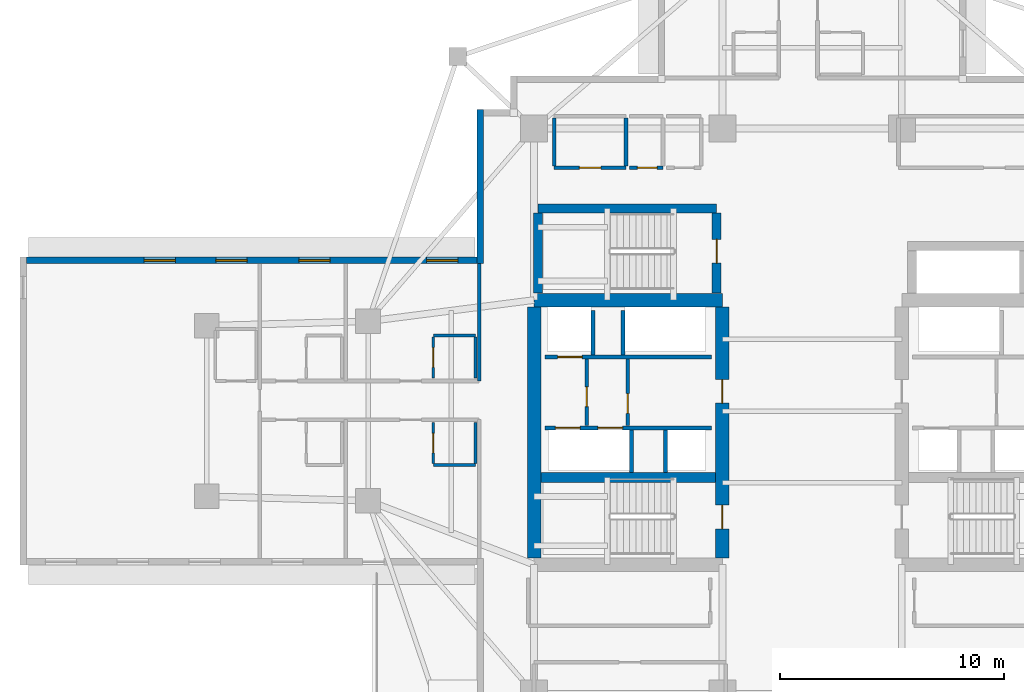
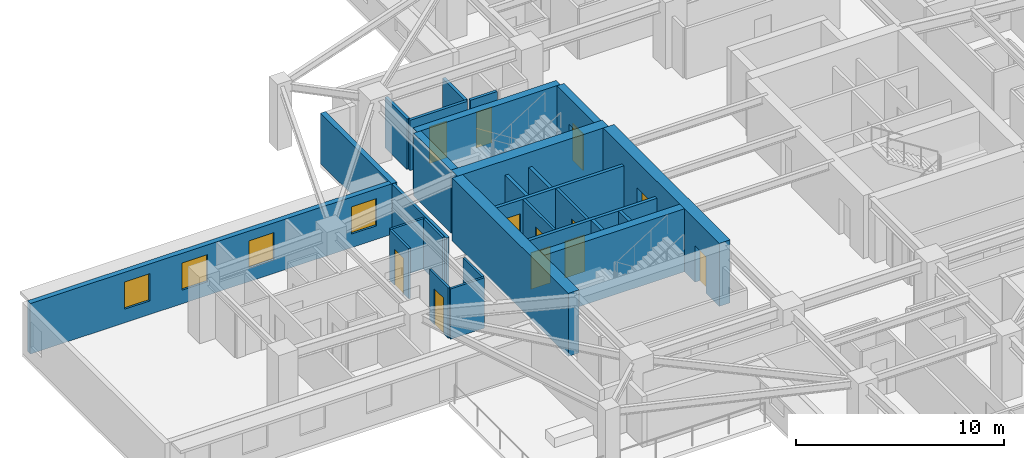
# One storey, part 5 of 13: 28 walls, 12 doors, 4 windows, 16 openings.
"""IFC4 building model written with IfcOpenShell, lengths in metres."""

from ifc_helpers import new_model, si_unit, direction, frame, frame_2d, origin, place, context, subcontext, project, spatial, rectangle, extrude, material, layer, layer_set, type_object, element, fill, save


model = new_model("IFC4")

# Units and contexts
model_context = context("Model", 3, precision=1e-05, world=origin(), true_north=direction((0.0, 1.0)))
body_context = subcontext(model_context, "Body", "Model", "MODEL_VIEW")
ifc_project = project(units=[si_unit("LENGTHUNIT", "METRE"), si_unit("AREAUNIT", "SQUARE_METRE"), si_unit("VOLUMEUNIT", "CUBIC_METRE"), si_unit("PLANEANGLEUNIT", "RADIAN"), si_unit("MASSUNIT", "GRAM", prefix="KILO")], contexts=[model_context])

# Site, building, storey
site_placement = place(None, origin())
site = spatial("IfcSite", under=ifc_project, at=site_placement, CompositionType="ELEMENT")
building_placement = place(site_placement, origin())
building = spatial("IfcBuilding", under=site, at=building_placement, Name="Qingluan Cross Belvedere", CompositionType="ELEMENT")
storey_placement = place(building_placement, frame((0.0, 0.0, 104.699951171875)))
storey = spatial("IfcBuildingStorey", under=building, at=storey_placement, Name="L26", CompositionType="ELEMENT", Elevation=104.699951171875)

# Walls
ifc_material_1 = material(Name="Concrete C50", Category="concrete")
ifc_layer_1 = layer(ifc_material_1, 0.449951171875, Name="CoreShearWall_450")
ifc_layer_set_1 = layer_set([ifc_layer_1], Name="Concrete C50")
wall_type_1 = type_object("IfcWallType", Name="CoreShearWall_450", PredefinedType="SHEAR", material=ifc_layer_set_1)
wall_1_placement = place(storey_placement, frame((-12.094970703125, -2.9599609375, 0.0), z_axis=(0.0, 0.0, 1.0), x_axis=(1.0, 0.0, 0.0)))
element("IfcWall", 1, at=wall_1_placement, inside=storey, type_object=wall_type_1, Name="Split core W shear wall L26-M", PredefinedType="SHEAR", context=body_context, shape_type="SweptSolid", body=[
    extrude(rectangle(XDim=7.7900390625, YDim=0.449951171875, at=frame_2d((3.89501953125, 0.0))), origin(), (0.0, 0.0, 1.0), 3.699951171875),
])
wall_2_placement = place(storey_placement, frame((-12.219970703125, 9.0400390625, 0.0), z_axis=(0.0, 0.0, 1.0), x_axis=(1.0, 0.0, 0.0)))
element("IfcWall", 2, at=wall_2_placement, inside=storey, type_object=wall_type_1, Name="Stair ST3 structural wall N L26", PredefinedType="SHEAR", context=body_context, shape_type="SweptSolid", body=[
    extrude(rectangle(XDim=7.9599609375, YDim=0.39990234375, at=frame_2d((3.97998046875, 0.0))), origin(), (0.0, 0.0, 1.0), 3.699951171875),
])
wall_3_placement = place(storey_placement, frame((-12.219970703125, 5.2548828125, 0.0), z_axis=(0.0, 0.0, 1.0), x_axis=(0.0, 1.0, 0.0)))
element("IfcWall", 3, at=wall_3_placement, inside=storey, type_object=wall_type_1, Name="Stair ST3 structural wall W L26", PredefinedType="SHEAR", context=body_context, shape_type="SweptSolid", body=[
    extrude(rectangle(XDim=3.580078125, YDim=0.39990234375, at=frame_2d((1.7900390625, 0.0))), origin(), (0.0, 0.0, 1.0), 3.699951171875),
])

# Wall, opening, door
wall_4_placement = place(storey_placement, frame((-4.260009765625, 5.2548828125, 0.0), z_axis=(0.0, 0.0, 1.0), x_axis=(0.0, 1.0, 0.0)))
wall_4 = element("IfcWall", 4, at=wall_4_placement, inside=storey, type_object=wall_type_1, Name="Stair ST3 structural wall E L26", PredefinedType="SHEAR", context=body_context, shape_type="SweptSolid", body=[
    extrude(rectangle(XDim=3.580078125, YDim=0.39990234375, at=frame_2d((1.7900390625, 0.0))), origin(), (0.0, 0.0, 1.0), 3.699951171875),
])
opening_1_placement = place(wall_4_placement, frame((1.344970703125, 0.0, 0.0)))
opening_1 = element("IfcOpeningElement", 5, at=opening_1_placement, cuts=wall_4, Name="Opening FD-B11", PredefinedType="OPENING", context=body_context, shape_type="SweptSolid", body=[
    extrude(rectangle(XDim=1.050048828125, YDim=2.14990234375, at=frame_2d((0.52490234375, 1.074951171875))), frame((0.0, 0.2099609375, 0.0), z_axis=(0.0, -1.0, 0.0), x_axis=(1.0, 0.0, 0.0)), (0.0, 0.0, 1.0), 0.419921875),
])
ifc_material_2 = material(Name="Steel Class B smoke-seal fire door", Category="steel")
door_type_1 = type_object("IfcDoorType", Name="StairLobbyFireDoor_FDB", OperationType="NOTDEFINED", PredefinedType="DOOR", material=ifc_material_2)
door_1_placement = place(opening_1_placement, origin())
door_1 = element("IfcDoor", 6, at=door_1_placement, inside=storey, type_object=door_type_1, Name="Smoke-proof stair ST3 fire door L26", OperationType="SINGLE_SWING_RIGHT", OverallHeight=2.14990234375, OverallWidth=1.050048828125, PredefinedType="DOOR", context=body_context, shape_type="SweptSolid", body=[
    extrude(rectangle(XDim=1.050048828125, YDim=2.14990234375, at=frame_2d((0.52490234375, 1.074951171875))), frame((0.0, 0.02490234375, 0.0), z_axis=(0.0, -1.0, 0.0), x_axis=(1.0, 0.0, 0.0)), (0.0, 0.0, 1.0), 0.050048828125),
])
fill(opening_1, door_1)

# Walls
ifc_material_3 = material(Name="Concrete C60", Category="concrete")
ifc_layer_2 = layer(ifc_material_3, 0.60009765625, Name="CoreShearWall_600")
ifc_layer_set_2 = layer_set([ifc_layer_2], Name="Concrete C60")
wall_type_2 = type_object("IfcWallType", Name="CoreShearWall_600", PredefinedType="SHEAR", material=ifc_layer_set_2)
wall_5_placement = place(storey_placement, frame((-12.39990234375, 4.949951171875, 0.0), z_axis=(0.0, 0.0, 1.0), x_axis=(1.0, 0.0, 0.0)))
element("IfcWall", 7, at=wall_5_placement, inside=storey, type_object=wall_type_2, Name="Split core W shear wall L26-N", PredefinedType="SHEAR", context=body_context, shape_type="SweptSolid", body=[
    extrude(rectangle(XDim=8.39990234375, YDim=0.60009765625, at=frame_2d((4.199951171875, 0.0))), origin(), (0.0, 0.0, 1.0), 3.699951171875),
])
wall_6_placement = place(storey_placement, frame((-12.39990234375, -6.544921875, 0.0), z_axis=(0.0, 0.0, 1.0), x_axis=(0.0, 1.0, 0.0)))
element("IfcWall", 8, at=wall_6_placement, inside=storey, type_object=wall_type_2, Name="Split core W shear wall L26-W", PredefinedType="SHEAR", context=body_context, shape_type="SweptSolid", body=[
    extrude(rectangle(XDim=11.18994140625, YDim=0.60009765625, at=frame_2d((5.594970703125, 0.0))), origin(), (0.0, 0.0, 1.0), 3.699951171875),
])

# Wall, openings, doors
wall_7_placement = place(storey_placement, frame((-4.0, -6.544921875, 0.0), z_axis=(0.0, 0.0, 1.0), x_axis=(0.0, 1.0, 0.0)))
wall_7 = element("IfcWall", 9, at=wall_7_placement, inside=storey, type_object=wall_type_2, Name="Split core W shear wall L26-E", PredefinedType="SHEAR", context=body_context, shape_type="SweptSolid", body=[
    extrude(rectangle(XDim=11.18994140625, YDim=0.60009765625, at=frame_2d((5.594970703125, 0.0))), origin(), (0.0, 0.0, 1.0), 3.699951171875),
])
opening_2_placement = place(wall_7_placement, frame((1.294921875, 0.0, 0.0)))
opening_2 = element("IfcOpeningElement", 10, at=opening_2_placement, cuts=wall_7, Name="Opening FD-B11", PredefinedType="OPENING", context=body_context, shape_type="SweptSolid", body=[
    extrude(rectangle(XDim=1.050048828125, YDim=2.14990234375, at=frame_2d((0.52490234375, 1.074951171875))), frame((0.0, 0.31005859375, 0.0), z_axis=(0.0, -1.0, 0.0), x_axis=(1.0, 0.0, 0.0)), (0.0, 0.0, 1.0), 0.6201171875),
])
opening_3_placement = place(wall_7_placement, frame((6.89501953125, 0.0, 0.0)))
opening_3 = element("IfcOpeningElement", 11, at=opening_3_placement, cuts=wall_7, Name="Opening FD-B11", PredefinedType="OPENING", context=body_context, shape_type="SweptSolid", body=[
    extrude(rectangle(XDim=1.050048828125, YDim=2.14990234375, at=frame_2d((0.52490234375, 1.074951171875))), frame((0.0, 0.31005859375, 0.0), z_axis=(0.0, -1.0, 0.0), x_axis=(1.0, 0.0, 0.0)), (0.0, 0.0, 1.0), 0.6201171875),
])
door_2_placement = place(opening_2_placement, origin())
door_2 = element("IfcDoor", 12, at=door_2_placement, inside=storey, type_object=door_type_1, Name="Smoke-proof stair ST1 fire door L26", OperationType="SINGLE_SWING_RIGHT", OverallHeight=2.14990234375, OverallWidth=1.050048828125, PredefinedType="DOOR", context=body_context, shape_type="SweptSolid", body=[
    extrude(rectangle(XDim=1.050048828125, YDim=2.14990234375, at=frame_2d((0.52490234375, 1.074951171875))), frame((0.0, 0.02490234375, 0.0), z_axis=(0.0, -1.0, 0.0), x_axis=(1.0, 0.0, 0.0)), (0.0, 0.0, 1.0), 0.050048828125),
])
fill(opening_2, door_2)
door_3_placement = place(opening_3_placement, origin())
door_3 = element("IfcDoor", 13, at=door_3_placement, inside=storey, type_object=door_type_1, Name="Firefighting lobby West fire door L26", OperationType="SINGLE_SWING_RIGHT", OverallHeight=2.14990234375, OverallWidth=1.050048828125, PredefinedType="DOOR", context=body_context, shape_type="SweptSolid", body=[
    extrude(rectangle(XDim=1.050048828125, YDim=2.14990234375, at=frame_2d((0.52490234375, 1.074951171875))), frame((0.0, 0.02490234375, 0.0), z_axis=(0.0, -1.0, 0.0), x_axis=(1.0, 0.0, 0.0)), (0.0, 0.0, 1.0), 0.050048828125),
])
fill(opening_3, door_3)

# Wall, opening, door
ifc_material_4 = material(Name="Gypsum plasterboard on steel stud acoustic partition", Category="steel")
ifc_layer_3 = layer(ifc_material_4, 0.159912109375, Name="CorridorPartition_160")
ifc_layer_set_3 = layer_set([ifc_layer_3], Name="Gypsum plasterboard on steel stud acoustic partition")
wall_type_3 = type_object("IfcWallType", Name="CorridorPartition_160", PredefinedType="PARTITIONING", material=ifc_layer_set_3)
wall_8_placement = place(storey_placement, frame((-10.050048828125, -0.652099609375, 0.0), z_axis=(0.0, 0.0, 1.0), x_axis=(0.0, 1.0, 0.0)))
wall_8 = element("IfcWall", 14, at=wall_8_placement, inside=storey, type_object=wall_type_3, Name="Partition L26:wv", PredefinedType="PARTITIONING", context=body_context, shape_type="SweptSolid", body=[
    extrude(rectangle(XDim=2.962158203125, YDim=0.139892578125, at=frame_2d((1.48095703125, 0.0))), origin(), (0.0, 0.0, 1.0), 2.9599609375),
])
opening_4_placement = place(wall_8_placement, frame((0.85009765625, 0.0, 0.0)))
opening_4 = element("IfcOpeningElement", 15, at=opening_4_placement, cuts=wall_8, Name="Opening FD-B10", PredefinedType="OPENING", context=body_context, shape_type="SweptSolid", body=[
    extrude(rectangle(XDim=0.8798828125, YDim=2.10009765625, at=frame_2d((0.43994140625, 1.050048828125))), frame((0.0, 0.079833984375, 0.0), z_axis=(0.0, -1.0, 0.0), x_axis=(1.0, 0.0, 0.0)), (0.0, 0.0, 1.0), 0.159912109375),
])
ifc_material_5 = material(Name="Steel Class B service fire door", Category="steel")
door_type_2 = type_object("IfcDoorType", Name="RiserServiceFireDoor_FDB", OperationType="NOTDEFINED", PredefinedType="DOOR", material=ifc_material_5)
door_4_placement = place(opening_4_placement, origin())
door_4 = element("IfcDoor", 16, at=door_4_placement, inside=storey, type_object=door_type_2, Name="Service closet inner door L26", OperationType="SINGLE_SWING_LEFT", OverallHeight=2.10009765625, OverallWidth=0.8798828125, PredefinedType="DOOR", context=body_context, shape_type="SweptSolid", body=[
    extrude(rectangle(XDim=0.8798828125, YDim=2.10009765625, at=frame_2d((0.43994140625, 1.050048828125))), frame((0.0, 0.02490234375, 0.0), z_axis=(0.0, -1.0, 0.0), x_axis=(1.0, 0.0, 0.0)), (0.0, 0.0, 1.0), 0.050048828125),
])
fill(opening_4, door_4)

wall_9_placement = place(storey_placement, frame((-11.5, 10.85009765625, 0.0), z_axis=(0.0, 0.0, 1.0), x_axis=(1.0, 0.0, 0.0)))
wall_9 = element("IfcWall", 17, at=wall_9_placement, inside=storey, type_object=wall_type_3, Name="Partition L26:q_nw_occ:S", PredefinedType="PARTITIONING", context=body_context, shape_type="SweptSolid", body=[
    extrude(rectangle(XDim=3.199951171875, YDim=0.159912109375, at=frame_2d((1.60009765625, 0.0))), origin(), (0.0, 0.0, 1.0), 2.9599609375),
])
opening_5_placement = place(wall_9_placement, frame((1.1201171875, 0.0, 0.0)))
opening_5 = element("IfcOpeningElement", 18, at=opening_5_placement, cuts=wall_9, Name="Opening GD-10", PredefinedType="OPENING", context=body_context, shape_type="SweptSolid", body=[
    extrude(rectangle(XDim=0.9599609375, YDim=2.14990234375, at=frame_2d((0.47998046875, 1.074951171875))), frame((0.0, 0.08984375, 0.0), z_axis=(0.0, -1.0, 0.0), x_axis=(1.0, 0.0, 0.0)), (0.0, 0.0, 1.0), 0.179931640625),
])
ifc_material_6 = material(Name="Timber oak fire-rated acoustic guestroom door", Category="wood")
door_type_3 = type_object("IfcDoorType", Name="GuestEntryDoor_FD60", OperationType="NOTDEFINED", PredefinedType="DOOR", material=ifc_material_6)
door_5_placement = place(opening_5_placement, origin())
door_5 = element("IfcDoor", 19, at=door_5_placement, inside=storey, type_object=door_type_3, Name="Northwest corner reading salon L26 door", OperationType="SINGLE_SWING_RIGHT", OverallHeight=2.14990234375, OverallWidth=0.9599609375, PredefinedType="DOOR", context=body_context, shape_type="SweptSolid", body=[
    extrude(rectangle(XDim=0.9599609375, YDim=2.14990234375, at=frame_2d((0.47998046875, 1.074951171875))), frame((0.0, 0.02490234375, 0.0), z_axis=(0.0, -1.0, 0.0), x_axis=(1.0, 0.0, 0.0)), (0.0, 0.0, 1.0), 0.050048828125),
])
fill(opening_5, door_5)

# Walls
for number, where, z_axis, x_axis, name in (
    (20, (-11.5, 10.93505859375, 0.0), (0.0, 0.0, 1.0), (0.0, 1.0, 0.0), "Partition L26:q_nw_occ:W"),
    (21, (-8.300048828125, 10.93505859375, 0.0), (0.0, 0.0, 1.0), (0.0, 1.0, 0.0), "Partition L26:q_nw_occ:E"),
):
    element("IfcWall", number, at=place(storey_placement, frame(where, z_axis=z_axis, x_axis=x_axis)), inside=storey, type_object=wall_type_3, Name=name, PredefinedType="PARTITIONING", context=body_context, shape_type="SweptSolid", body=[
        extrude(rectangle(XDim=2.1298828125, YDim=0.159912109375, at=frame_2d((1.06494140625, 0.0))), origin(), (0.0, 0.0, 1.0), 2.9599609375),
    ])

# Wall, opening, door
wall_10_placement = place(storey_placement, frame((-8.139892578125, 10.85009765625, 0.0), z_axis=(0.0, 0.0, 1.0), x_axis=(1.0, 0.0, 0.0)))
wall_10 = element("IfcWall", 22, at=wall_10_placement, inside=storey, type_object=wall_type_3, Name="Partition L26:hk_linen:S", PredefinedType="PARTITIONING", context=body_context, shape_type="SweptSolid", body=[
    extrude(rectangle(XDim=1.489990234375, YDim=0.159912109375, at=frame_2d((0.7451171875, 0.0))), origin(), (0.0, 0.0, 1.0), 2.9599609375),
])
opening_6_placement = place(wall_10_placement, frame((0.35009765625, 0.0, 0.0)))
opening_6 = element("IfcOpeningElement", 23, at=opening_6_placement, cuts=wall_10, Name="Opening FD-B10", PredefinedType="OPENING", context=body_context, shape_type="SweptSolid", body=[
    extrude(rectangle(XDim=0.8798828125, YDim=2.10009765625, at=frame_2d((0.43994140625, 1.050048828125))), frame((0.0, 0.08984375, 0.0), z_axis=(0.0, -1.0, 0.0), x_axis=(1.0, 0.0, 0.0)), (0.0, 0.0, 1.0), 0.179931640625),
])
door_6_placement = place(opening_6_placement, origin())
door_6 = element("IfcDoor", 24, at=door_6_placement, inside=storey, type_object=door_type_2, Name="Housekeeping and linen store L26 door", OperationType="SINGLE_SWING_LEFT", OverallHeight=2.10009765625, OverallWidth=0.8798828125, PredefinedType="DOOR", context=body_context, shape_type="SweptSolid", body=[
    extrude(rectangle(XDim=0.8798828125, YDim=2.10009765625, at=frame_2d((0.43994140625, 1.050048828125))), frame((0.0, 0.02490234375, 0.0), z_axis=(0.0, -1.0, 0.0), x_axis=(1.0, 0.0, 0.0)), (0.0, 0.0, 1.0), 0.050048828125),
])
fill(opening_6, door_6)

# Wall
wall_11_placement = place(storey_placement, frame((-14.85009765625, 1.340087890625, 0.0), z_axis=(0.0, 0.0, 1.0), x_axis=(0.0, 1.0, 0.0)))
element("IfcWall", 25, at=wall_11_placement, inside=storey, type_object=wall_type_3, Name="Partition L26:W:s0", PredefinedType="PARTITIONING", context=body_context, shape_type="SweptSolid", body=[
    extrude(rectangle(XDim=5.23193359375, YDim=0.159912109375, at=frame_2d((2.615966796875, 0.0))), origin(), (0.0, 0.0, 1.0), 2.9599609375),
])

# Wall, opening, door
ifc_material_7 = material(Name="Moisture-resistant gypsum board lining")
ifc_layer_4 = layer(ifc_material_7, 0.1201171875, Name="EnsuiteWetPartition_120")
ifc_layer_set_4 = layer_set([ifc_layer_4], Name="Moisture-resistant gypsum board lining")
wall_type_4 = type_object("IfcWallType", Name="EnsuiteWetPartition_120", PredefinedType="PARTITIONING", material=ifc_layer_set_4)
wall_12_placement = place(storey_placement, frame((-16.889892578125, 1.47998046875, 0.0), z_axis=(0.0, 0.0, 1.0), x_axis=(0.0, 1.0, 0.0)))
wall_12 = element("IfcWall", 26, at=wall_12_placement, inside=storey, type_object=wall_type_4, Name="Partition L26:W:bs0_0", PredefinedType="PARTITIONING", context=body_context, shape_type="SweptSolid", body=[
    extrude(rectangle(XDim=1.820068359375, YDim=0.1201171875, at=frame_2d((0.91015625, 0.0))), origin(), (0.0, 0.0, 1.0), 2.9599609375),
])
opening_7_placement = place(wall_12_placement, frame((0.469970703125, 0.0, 0.0)))
opening_7 = element("IfcOpeningElement", 27, at=opening_7_placement, cuts=wall_12, Name="Opening BD-09", PredefinedType="OPENING", context=body_context, shape_type="SweptSolid", body=[
    extrude(rectangle(XDim=0.8798828125, YDim=2.10009765625, at=frame_2d((0.43994140625, 1.050048828125))), frame((0.0, 0.070068359375, 0.0), z_axis=(0.0, -1.0, 0.0), x_axis=(1.0, 0.0, 0.0)), (0.0, 0.0, 1.0), 0.14013671875),
])
ifc_material_8 = material(Name="Moisture-sealed timber en-suite door", Category="wood")
door_type_4 = type_object("IfcDoorType", Name="BathroomDoor_880", OperationType="NOTDEFINED", PredefinedType="DOOR", material=ifc_material_8)
door_7_placement = place(opening_7_placement, origin())
door_7 = element("IfcDoor", 28, at=door_7_placement, inside=storey, type_object=door_type_4, Name="Bathroom door 2607", OperationType="SINGLE_SWING_LEFT", OverallHeight=2.10009765625, OverallWidth=0.8798828125, PredefinedType="DOOR", context=body_context, shape_type="SweptSolid", body=[
    extrude(rectangle(XDim=0.8798828125, YDim=2.10009765625, at=frame_2d((0.43994140625, 1.050048828125))), frame((0.0, 0.02490234375, 0.0), z_axis=(0.0, -1.0, 0.0), x_axis=(1.0, 0.0, 0.0)), (0.0, 0.0, 1.0), 0.050048828125),
])
fill(opening_7, door_7)

# Walls
wall_13_placement = place(storey_placement, frame((-15.010009765625, 1.47998046875, 0.0), z_axis=(0.0, 0.0, 1.0), x_axis=(0.0, 1.0, 0.0)))
element("IfcWall", 29, at=wall_13_placement, inside=storey, type_object=wall_type_4, Name="Partition L26:W:bw0_0", PredefinedType="PARTITIONING", context=body_context, shape_type="SweptSolid", body=[
    extrude(rectangle(XDim=1.820068359375, YDim=0.1201171875, at=frame_2d((0.91015625, 0.0))), origin(), (0.0, 0.0, 1.0), 2.9599609375),
])
wall_14_placement = place(storey_placement, frame((-15.010009765625, 3.364990234375, 0.0), z_axis=(0.0, 0.0, 1.0), x_axis=(-1.0, 0.0, 0.0)))
element("IfcWall", 30, at=wall_14_placement, inside=storey, type_object=wall_type_4, Name="Partition L26:W:bn0_0", PredefinedType="PARTITIONING", context=body_context, shape_type="SweptSolid", body=[
    extrude(rectangle(XDim=1.8798828125, YDim=0.1201171875, at=frame_2d((0.93994140625, 0.0))), origin(), (0.0, 0.0, 1.0), 2.9599609375),
])

# Wall, opening, door
wall_15_placement = place(storey_placement, frame((-16.889892578125, -2.340087890625, 0.0), z_axis=(0.0, 0.0, 1.0), x_axis=(0.0, 1.0, 0.0)))
wall_15 = element("IfcWall", 31, at=wall_15_placement, inside=storey, type_object=wall_type_4, Name="Partition L26:W:bs1_0", PredefinedType="PARTITIONING", context=body_context, shape_type="SweptSolid", body=[
    extrude(rectangle(XDim=1.820068359375, YDim=0.1201171875, at=frame_2d((0.91015625, 0.0))), origin(), (0.0, 0.0, 1.0), 2.9599609375),
])
opening_8_placement = place(wall_15_placement, frame((0.469970703125, 0.0, 0.0)))
opening_8 = element("IfcOpeningElement", 32, at=opening_8_placement, cuts=wall_15, Name="Opening BD-09", PredefinedType="OPENING", context=body_context, shape_type="SweptSolid", body=[
    extrude(rectangle(XDim=0.8798828125, YDim=2.10009765625, at=frame_2d((0.43994140625, 1.050048828125))), frame((0.0, 0.070068359375, 0.0), z_axis=(0.0, -1.0, 0.0), x_axis=(1.0, 0.0, 0.0)), (0.0, 0.0, 1.0), 0.14013671875),
])
door_8_placement = place(opening_8_placement, origin())
door_8 = element("IfcDoor", 33, at=door_8_placement, inside=storey, type_object=door_type_4, Name="Bathroom door 2609", OperationType="SINGLE_SWING_LEFT", OverallHeight=2.10009765625, OverallWidth=0.8798828125, PredefinedType="DOOR", context=body_context, shape_type="SweptSolid", body=[
    extrude(rectangle(XDim=0.8798828125, YDim=2.10009765625, at=frame_2d((0.43994140625, 1.050048828125))), frame((0.0, 0.02490234375, 0.0), z_axis=(0.0, -1.0, 0.0), x_axis=(1.0, 0.0, 0.0)), (0.0, 0.0, 1.0), 0.050048828125),
])
fill(opening_8, door_8)

# Walls
wall_16_placement = place(storey_placement, frame((-15.010009765625, -2.340087890625, 0.0), z_axis=(0.0, 0.0, 1.0), x_axis=(0.0, 1.0, 0.0)))
element("IfcWall", 34, at=wall_16_placement, inside=storey, type_object=wall_type_4, Name="Partition L26:W:bw1_0", PredefinedType="PARTITIONING", context=body_context, shape_type="SweptSolid", body=[
    extrude(rectangle(XDim=1.820068359375, YDim=0.1201171875, at=frame_2d((0.91015625, 0.0))), origin(), (0.0, 0.0, 1.0), 2.9599609375),
])
wall_17_placement = place(storey_placement, frame((-15.010009765625, -2.405029296875, 0.0), z_axis=(0.0, 0.0, 1.0), x_axis=(-1.0, 0.0, 0.0)))
element("IfcWall", 35, at=wall_17_placement, inside=storey, type_object=wall_type_4, Name="Partition L26:W:bc1_0", PredefinedType="PARTITIONING", context=body_context, shape_type="SweptSolid", body=[
    extrude(rectangle(XDim=1.8798828125, YDim=0.1201171875, at=frame_2d((0.93994140625, 0.0))), origin(), (0.0, 0.0, 1.0), 2.9599609375),
])

# Wall, openings, windows
ifc_material_9 = material(Name="Precast concrete C45", Category="concrete")
ifc_layer_5 = layer(ifc_material_9, 0.280029296875, Name="PrecastFacadeWall_280")
ifc_layer_set_5 = layer_set([ifc_layer_5], Name="Precast concrete C45")
wall_type_5 = type_object("IfcWallType", Name="PrecastFacadeWall_280", PredefinedType="STANDARD", material=ifc_layer_set_5)
wall_18_placement = place(storey_placement, frame((-14.93994140625, 6.719970703125, 0.0), z_axis=(0.0, 0.0, 1.0), x_axis=(-1.0, 0.0, 0.0)))
wall_18 = element("IfcWall", 36, at=wall_18_placement, inside=storey, type_object=wall_type_5, Name="Facade wall L26-WA", PredefinedType="STANDARD", context=body_context, shape_type="SweptSolid", body=[
    extrude(rectangle(XDim=20.10009765625, YDim=0.280029296875, at=frame_2d((10.050048828125, 0.0))), origin(), (0.0, 0.0, 1.0), 2.969970703125),
])
opening_9_placement = place(wall_18_placement, frame((0.85009765625, 0.0, 0.800048828125)))
opening_9 = element("IfcOpeningElement", 37, at=opening_9_placement, cuts=wall_18, Name="Opening W-01", PredefinedType="OPENING", context=body_context, shape_type="SweptSolid", body=[
    extrude(rectangle(XDim=1.39990234375, YDim=1.60009765625, at=frame_2d((0.699951171875, 0.800048828125))), frame((0.0, 0.14990234375, 0.0), z_axis=(0.0, -1.0, 0.0), x_axis=(1.0, 0.0, 0.0)), (0.0, 0.0, 1.0), 0.300048828125),
])
opening_10_placement = place(wall_18_placement, frame((6.550048828125, 0.0, 0.800048828125)))
opening_10 = element("IfcOpeningElement", 38, at=opening_10_placement, cuts=wall_18, Name="Opening W-01", PredefinedType="OPENING", context=body_context, shape_type="SweptSolid", body=[
    extrude(rectangle(XDim=1.39990234375, YDim=1.60009765625, at=frame_2d((0.699951171875, 0.800048828125))), frame((0.0, 0.14990234375, 0.0), z_axis=(0.0, -1.0, 0.0), x_axis=(1.0, 0.0, 0.0)), (0.0, 0.0, 1.0), 0.300048828125),
])
opening_11_placement = place(wall_18_placement, frame((10.25, 0.0, 0.800048828125)))
opening_11 = element("IfcOpeningElement", 39, at=opening_11_placement, cuts=wall_18, Name="Opening W-01", PredefinedType="OPENING", context=body_context, shape_type="SweptSolid", body=[
    extrude(rectangle(XDim=1.39990234375, YDim=1.60009765625, at=frame_2d((0.699951171875, 0.800048828125))), frame((0.0, 0.14990234375, 0.0), z_axis=(0.0, -1.0, 0.0), x_axis=(1.0, 0.0, 0.0)), (0.0, 0.0, 1.0), 0.300048828125),
])
opening_12_placement = place(wall_18_placement, frame((13.449951171875, 0.0, 0.800048828125)))
opening_12 = element("IfcOpeningElement", 40, at=opening_12_placement, cuts=wall_18, Name="Opening W-01", PredefinedType="OPENING", context=body_context, shape_type="SweptSolid", body=[
    extrude(rectangle(XDim=1.39990234375, YDim=1.60009765625, at=frame_2d((0.699951171875, 0.800048828125))), frame((0.0, 0.14990234375, 0.0), z_axis=(0.0, -1.0, 0.0), x_axis=(1.0, 0.0, 0.0)), (0.0, 0.0, 1.0), 0.300048828125),
])
ifc_material_10 = material(Name="Thermally broken triple Low-E glass in aluminium frame", Category="aluminium")
window_type = type_object("IfcWindowType", Name="TriRibbonWin_1400x1600", PartitioningType="SINGLE_PANEL", PredefinedType="WINDOW", material=ifc_material_10)
window_1_placement = place(opening_9_placement, origin())
window_1 = element("IfcWindow", 41, at=window_1_placement, inside=storey, type_object=window_type, Name="Ribbon window L26-WA-1", OverallHeight=1.60009765625, OverallWidth=1.39990234375, PartitioningType="SINGLE_PANEL", PredefinedType="WINDOW", context=body_context, shape_type="SweptSolid", body=[
    extrude(rectangle(XDim=1.39990234375, YDim=1.60009765625, at=frame_2d((0.699951171875, 0.800048828125))), frame((0.0, 0.030029296875, 0.0), z_axis=(0.0, -1.0, 0.0), x_axis=(1.0, 0.0, 0.0)), (0.0, 0.0, 1.0), 0.06005859375),
])
fill(opening_9, window_1)
window_2_placement = place(opening_10_placement, origin())
window_2 = element("IfcWindow", 42, at=window_2_placement, inside=storey, type_object=window_type, Name="Ribbon window L26-WA-2", OverallHeight=1.60009765625, OverallWidth=1.39990234375, PartitioningType="SINGLE_PANEL", PredefinedType="WINDOW", context=body_context, shape_type="SweptSolid", body=[
    extrude(rectangle(XDim=1.39990234375, YDim=1.60009765625, at=frame_2d((0.699951171875, 0.800048828125))), frame((0.0, 0.030029296875, 0.0), z_axis=(0.0, -1.0, 0.0), x_axis=(1.0, 0.0, 0.0)), (0.0, 0.0, 1.0), 0.06005859375),
])
fill(opening_10, window_2)
window_3_placement = place(opening_11_placement, origin())
window_3 = element("IfcWindow", 43, at=window_3_placement, inside=storey, type_object=window_type, Name="Ribbon window L26-WA-3", OverallHeight=1.60009765625, OverallWidth=1.39990234375, PartitioningType="SINGLE_PANEL", PredefinedType="WINDOW", context=body_context, shape_type="SweptSolid", body=[
    extrude(rectangle(XDim=1.39990234375, YDim=1.60009765625, at=frame_2d((0.699951171875, 0.800048828125))), frame((0.0, 0.030029296875, 0.0), z_axis=(0.0, -1.0, 0.0), x_axis=(1.0, 0.0, 0.0)), (0.0, 0.0, 1.0), 0.06005859375),
])
fill(opening_11, window_3)
window_4_placement = place(opening_12_placement, origin())
window_4 = element("IfcWindow", 44, at=window_4_placement, inside=storey, type_object=window_type, Name="Ribbon window L26-WA-4", OverallHeight=1.60009765625, OverallWidth=1.39990234375, PartitioningType="SINGLE_PANEL", PredefinedType="WINDOW", context=body_context, shape_type="SweptSolid", body=[
    extrude(rectangle(XDim=1.39990234375, YDim=1.60009765625, at=frame_2d((0.699951171875, 0.800048828125))), frame((0.0, 0.030029296875, 0.0), z_axis=(0.0, -1.0, 0.0), x_axis=(1.0, 0.0, 0.0)), (0.0, 0.0, 1.0), 0.06005859375),
])
fill(opening_12, window_4)

# Wall
wall_19_placement = place(storey_placement, frame((-14.800048828125, 6.580078125, 0.0), z_axis=(0.0, 0.0, 1.0), x_axis=(0.0, 1.0, 0.0)))
element("IfcWall", 45, at=wall_19_placement, inside=storey, type_object=wall_type_5, Name="Corner wall L26-NW1", PredefinedType="STANDARD", context=body_context, shape_type="SweptSolid", body=[
    extrude(rectangle(XDim=6.85986328125, YDim=0.280029296875, at=frame_2d((3.429931640625, 0.0))), origin(), (0.0, 0.0, 1.0), 2.969970703125),
])

# Wall, opening, door
ifc_material_11 = material(Name="Concrete C40", Category="concrete")
ifc_layer_6 = layer(ifc_material_11, 0.219970703125, Name="ShaftEnclosureWall_250")
ifc_layer_set_6 = layer_set([ifc_layer_6], Name="Concrete C40")
wall_type_6 = type_object("IfcWallType", Name="ShaftEnclosureWall_250", PredefinedType="SOLIDWALL", material=ifc_layer_set_6)
wall_20_placement = place(storey_placement, frame((-11.89990234375, 2.409912109375, 0.0), z_axis=(0.0, 0.0, 1.0), x_axis=(1.0, 0.0, 0.0)))
wall_20 = element("IfcWall", 46, at=wall_20_placement, inside=storey, type_object=wall_type_6, Name="Core-W north hoistway wall L26", PredefinedType="SOLIDWALL", context=body_context, shape_type="SweptSolid", body=[
    extrude(rectangle(XDim=7.419921875, YDim=0.179931640625, at=frame_2d((3.7099609375, 0.0))), origin(), (0.0, 0.0, 1.0), 2.9599609375),
])
opening_13_placement = place(wall_20_placement, frame((0.550048828125, 0.0, 0.0)))
opening_13 = element("IfcOpeningElement", 47, at=opening_13_placement, cuts=wall_20, Name="Opening LD-11", PredefinedType="OPENING", context=body_context, shape_type="SweptSolid", body=[
    extrude(rectangle(XDim=1.10009765625, YDim=2.14990234375, at=frame_2d((0.550048828125, 1.074951171875))), frame((0.0, 0.099853515625, 0.0), z_axis=(0.0, -1.0, 0.0), x_axis=(1.0, 0.0, 0.0)), (0.0, 0.0, 1.0), 0.199951171875),
])
ifc_material_12 = material(Name="Brushed stainless steel centre-opening lift landing door", Category="steel")
door_type_5 = type_object("IfcDoorType", Name="LiftLandingSlidingDoor_1100", OperationType="DOUBLE_DOOR_SLIDING", PredefinedType="DOOR", material=ifc_material_12)
door_9_placement = place(opening_13_placement, origin())
door_9 = element("IfcDoor", 48, at=door_9_placement, inside=storey, type_object=door_type_5, Name="Lift landing sliding door FL1 L26", OperationType="DOUBLE_DOOR_SLIDING", OverallHeight=2.14990234375, OverallWidth=1.10009765625, PredefinedType="DOOR", context=body_context, shape_type="SweptSolid", body=[
    extrude(rectangle(XDim=1.10009765625, YDim=2.14990234375, at=frame_2d((0.550048828125, 1.074951171875))), frame((0.0, 0.02490234375, 0.0), z_axis=(0.0, -1.0, 0.0), x_axis=(1.0, 0.0, 0.0)), (0.0, 0.0, 1.0), 0.050048828125),
])
fill(opening_13, door_9)

# Wall, openings, doors
wall_21_placement = place(storey_placement, frame((-11.89990234375, -0.75, 0.0), z_axis=(0.0, 0.0, 1.0), x_axis=(1.0, 0.0, 0.0)))
wall_21 = element("IfcWall", 49, at=wall_21_placement, inside=storey, type_object=wall_type_6, Name="Core-W mid hoistway wall L26", PredefinedType="SOLIDWALL", context=body_context, shape_type="SweptSolid", body=[
    extrude(rectangle(XDim=7.419921875, YDim=0.179931640625, at=frame_2d((3.7099609375, 0.0))), origin(), (0.0, 0.0, 1.0), 2.9599609375),
])
opening_14_placement = place(wall_21_placement, frame((0.449951171875, 0.0, 0.0)))
opening_14 = element("IfcOpeningElement", 50, at=opening_14_placement, cuts=wall_21, Name="Opening LD-11", PredefinedType="OPENING", context=body_context, shape_type="SweptSolid", body=[
    extrude(rectangle(XDim=1.10009765625, YDim=2.14990234375, at=frame_2d((0.550048828125, 1.074951171875))), frame((0.0, 0.099853515625, 0.0), z_axis=(0.0, -1.0, 0.0), x_axis=(1.0, 0.0, 0.0)), (0.0, 0.0, 1.0), 0.199951171875),
])
opening_15_placement = place(wall_21_placement, frame((2.35009765625, 0.0, 0.0)))
opening_15 = element("IfcOpeningElement", 51, at=opening_15_placement, cuts=wall_21, Name="Opening LD-11", PredefinedType="OPENING", context=body_context, shape_type="SweptSolid", body=[
    extrude(rectangle(XDim=1.10009765625, YDim=2.14990234375, at=frame_2d((0.550048828125, 1.074951171875))), frame((0.0, 0.099853515625, 0.0), z_axis=(0.0, -1.0, 0.0), x_axis=(1.0, 0.0, 0.0)), (0.0, 0.0, 1.0), 0.199951171875),
])
door_10_placement = place(opening_14_placement, origin())
door_10 = element("IfcDoor", 52, at=door_10_placement, inside=storey, type_object=door_type_5, Name="Lift landing sliding door LP5 L26", OperationType="DOUBLE_DOOR_SLIDING", OverallHeight=2.14990234375, OverallWidth=1.10009765625, PredefinedType="DOOR", context=body_context, shape_type="SweptSolid", body=[
    extrude(rectangle(XDim=1.10009765625, YDim=2.14990234375, at=frame_2d((0.550048828125, 1.074951171875))), frame((0.0, 0.02490234375, 0.0), z_axis=(0.0, -1.0, 0.0), x_axis=(1.0, 0.0, 0.0)), (0.0, 0.0, 1.0), 0.050048828125),
])
fill(opening_14, door_10)
door_11_placement = place(opening_15_placement, origin())
door_11 = element("IfcDoor", 53, at=door_11_placement, inside=storey, type_object=door_type_5, Name="Lift landing sliding door LP6 L26", OperationType="DOUBLE_DOOR_SLIDING", OverallHeight=2.14990234375, OverallWidth=1.10009765625, PredefinedType="DOOR", context=body_context, shape_type="SweptSolid", body=[
    extrude(rectangle(XDim=1.10009765625, YDim=2.14990234375, at=frame_2d((0.550048828125, 1.074951171875))), frame((0.0, 0.02490234375, 0.0), z_axis=(0.0, -1.0, 0.0), x_axis=(1.0, 0.0, 0.0)), (0.0, 0.0, 1.0), 0.050048828125),
])
fill(opening_15, door_11)

# Walls
for number, where, z_axis, x_axis, name in (
    (54, (-9.760009765625, 2.5, 0.0), (0.0, 0.0, 1.0), (0.0, 1.0, 0.0), "Hoistway enclosure divider FL1E L26"),
    (55, (-8.43994140625, 2.5, 0.0), (0.0, 0.0, 1.0), (0.0, 1.0, 0.0), "Hoistway enclosure divider LP1W L26"),
):
    element("IfcWall", number, at=place(storey_placement, frame(where, z_axis=z_axis, x_axis=x_axis)), inside=storey, type_object=wall_type_6, Name=name, PredefinedType="SOLIDWALL", context=body_context, shape_type="SweptSolid", body=[
        extrude(rectangle(XDim=1.989990234375, YDim=0.179931640625, at=frame_2d((0.9951171875, 0.0))), origin(), (0.0, 0.0, 1.0), 2.9599609375),
    ])
for number, where, z_axis, x_axis, name in (
    (56, (-8.06005859375, -2.72998046875, 0.0), (0.0, 0.0, 1.0), (0.0, 1.0, 0.0), "Hoistway enclosure divider LP6E L26"),
    (57, (-6.5400390625, -2.72998046875, 0.0), (0.0, 0.0, 1.0), (0.0, 1.0, 0.0), "Hoistway enclosure divider LP8W L26"),
):
    element("IfcWall", number, at=place(storey_placement, frame(where, z_axis=z_axis, x_axis=x_axis)), inside=storey, type_object=wall_type_6, Name=name, PredefinedType="SOLIDWALL", context=body_context, shape_type="SweptSolid", body=[
        extrude(rectangle(XDim=1.889892578125, YDim=0.179931640625, at=frame_2d((0.94482421875, 0.0))), origin(), (0.0, 0.0, 1.0), 2.9599609375),
    ])

# Wall, opening, door
wall_22_placement = place(storey_placement, frame((-8.219970703125, -0.64990234375, 0.0), z_axis=(0.0, 0.0, 1.0), x_axis=(0.0, 1.0, 0.0)))
wall_22 = element("IfcWall", 58, at=wall_22_placement, inside=storey, type_object=wall_type_6, Name="Core-W service corridor wall L26", PredefinedType="SOLIDWALL", context=body_context, shape_type="SweptSolid", body=[
    extrude(rectangle(XDim=2.9599609375, YDim=0.139892578125, at=frame_2d((1.47998046875, 0.0))), origin(), (0.0, 0.0, 1.0), 2.9599609375),
])
opening_16_placement = place(wall_22_placement, frame((0.550048828125, 0.0, 0.0)))
opening_16 = element("IfcOpeningElement", 59, at=opening_16_placement, cuts=wall_22, Name="Opening FD-B10", PredefinedType="OPENING", context=body_context, shape_type="SweptSolid", body=[
    extrude(rectangle(XDim=0.8798828125, YDim=2.10009765625, at=frame_2d((0.43994140625, 1.050048828125))), frame((0.0, 0.079833984375, 0.0), z_axis=(0.0, -1.0, 0.0), x_axis=(1.0, 0.0, 0.0)), (0.0, 0.0, 1.0), 0.159912109375),
])
door_12_placement = place(opening_16_placement, origin())
door_12 = element("IfcDoor", 60, at=door_12_placement, inside=storey, type_object=door_type_2, Name="Core-W service room door L26", OperationType="SINGLE_SWING_LEFT", OverallHeight=2.10009765625, OverallWidth=0.8798828125, PredefinedType="DOOR", context=body_context, shape_type="SweptSolid", body=[
    extrude(rectangle(XDim=0.8798828125, YDim=2.10009765625, at=frame_2d((0.43994140625, 1.050048828125))), frame((0.0, 0.02490234375, 0.0), z_axis=(0.0, -1.0, 0.0), x_axis=(1.0, 0.0, 0.0)), (0.0, 0.0, 1.0), 0.050048828125),
])
fill(opening_16, door_12)

save(model, "model.ifc")
